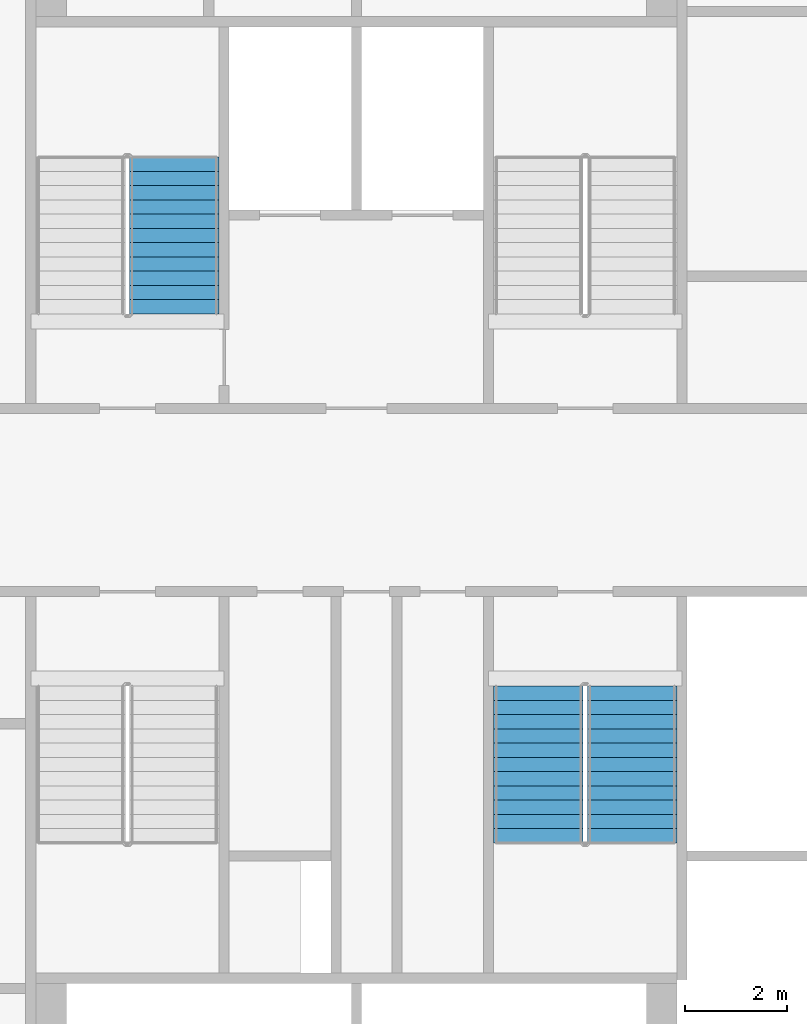
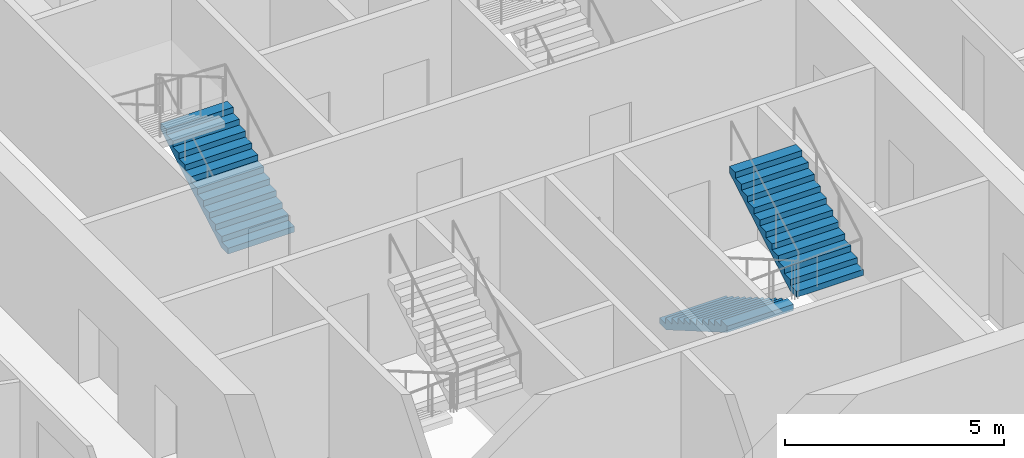
# One storey, part 9 of 15: 3 stair flights, 2 elements without a shape of their own.
"""IFC4 building model written with IfcOpenShell, lengths in metres."""

from ifc_helpers import new_model, si_unit, direction, frame, origin, place, context, subcontext, project, spatial, faceted_brep, material, type_object, element, aggregate, save


model = new_model("IFC4")

# Units and contexts
model_context = context("Model", 3, precision=1e-05, world=origin(), true_north=direction((0.0, 1.0)))
body_context = subcontext(model_context, "Body", "Model", "MODEL_VIEW")
ifc_project = project(units=[si_unit("LENGTHUNIT", "METRE"), si_unit("AREAUNIT", "SQUARE_METRE"), si_unit("VOLUMEUNIT", "CUBIC_METRE"), si_unit("PLANEANGLEUNIT", "RADIAN"), si_unit("MASSUNIT", "GRAM", prefix="KILO")], contexts=[model_context])

# Site, building, storey
site_placement = place(None, origin())
site = spatial("IfcSite", under=ifc_project, at=site_placement, CompositionType="ELEMENT")
building_placement = place(site_placement, origin())
building = spatial("IfcBuilding", under=site, at=building_placement, Name="Tarsis Ring Headquarters", CompositionType="ELEMENT")
storey_placement = place(building_placement, frame((0.0, 0.0, 219.89990234375)))
storey = spatial("IfcBuildingStorey", under=building, at=storey_placement, Name="L51", CompositionType="ELEMENT", Elevation=219.89990234375)

# Stair, stair flight
ifc_material_1 = material(Name="Core stair 1760")
stair_type = type_object("IfcStairType", Name="Core stair 1760", PredefinedType="HALF_TURN_STAIR", material=ifc_material_1)
stair_1_placement = place(storey_placement, origin())
stair_1 = element("IfcStair", 1, at=stair_1_placement, inside=storey, type_object=stair_type, Name="L51 Firefighting stair", PredefinedType="HALF_TURN_STAIR")
ifc_material_2 = material(Name="Concrete C40/50", Category="concrete")
stair_flight_type = type_object("IfcStairFlightType", Name="Core stair flight 1760", PredefinedType="STRAIGHT", material=ifc_material_2)
stair_flight_1_placement = place(storey_placement, frame((-3.580078125, 3.659912109375, 0.0), z_axis=(0.0, 0.0, 1.0), x_axis=(0.0, 1.0, 0.0)))
stair_flight_1 = element("IfcStairFlight", 2, at=stair_flight_1_placement, type_object=stair_flight_type, Name="Stair ST1 flight 1", NumberOfRisers=12, NumberOfTreads=11, PredefinedType="STRAIGHT", RiserHeight=0.1625, TreadLength=0.28, context=body_context, shape_type="Brep", body=[
    faceted_brep([(0.0, 0.8798828125, 0.0), (0.0, 0.8798828125, 0.16259765625), (0.280029296875, 0.8798828125, 0.16259765625), (0.280029296875, 0.8798828125, 0.324951171875), (0.56005859375, 0.8798828125, 0.324951171875), (0.56005859375, 0.8798828125, 0.487548828125), (0.840087890625, 0.8798828125, 0.487548828125), (0.840087890625, 0.8798828125, 0.64990234375), (1.1201171875, 0.8798828125, 0.64990234375), (1.1201171875, 0.8798828125, 0.8125), (1.39990234375, 0.8798828125, 0.8125), (1.39990234375, 0.8798828125, 0.97509765625), (1.679931640625, 0.8798828125, 0.97509765625), (1.679931640625, 0.8798828125, 1.137451171875), (1.9599609375, 0.8798828125, 1.137451171875), (1.9599609375, 0.8798828125, 1.300048828125), (2.239990234375, 0.8798828125, 1.300048828125), (2.239990234375, 0.8798828125, 1.46240234375), (2.52001953125, 0.8798828125, 1.46240234375), (2.52001953125, 0.8798828125, 1.625), (2.800048828125, 0.8798828125, 1.625), (2.800048828125, 0.8798828125, 1.78759765625), (3.080078125, 0.8798828125, 1.78759765625), (3.080078125, 0.8798828125, 1.6142578125), (0.298583984375, 0.8798828125, 0.0), (0.298583984375, -0.8798828125, 0.0), (3.080078125, -0.8798828125, 1.6142578125), (3.080078125, -0.8798828125, 1.78759765625), (2.800048828125, -0.8798828125, 1.78759765625), (2.800048828125, -0.8798828125, 1.625), (2.52001953125, -0.8798828125, 1.625), (2.52001953125, -0.8798828125, 1.46240234375), (2.239990234375, -0.8798828125, 1.46240234375), (2.239990234375, -0.8798828125, 1.300048828125), (1.9599609375, -0.8798828125, 1.300048828125), (1.9599609375, -0.8798828125, 1.137451171875), (1.679931640625, -0.8798828125, 1.137451171875), (1.679931640625, -0.8798828125, 0.97509765625), (1.39990234375, -0.8798828125, 0.97509765625), (1.39990234375, -0.8798828125, 0.8125), (1.1201171875, -0.8798828125, 0.8125), (1.1201171875, -0.8798828125, 0.64990234375), (0.840087890625, -0.8798828125, 0.64990234375), (0.840087890625, -0.8798828125, 0.487548828125), (0.56005859375, -0.8798828125, 0.487548828125), (0.56005859375, -0.8798828125, 0.324951171875), (0.280029296875, -0.8798828125, 0.324951171875), (0.280029296875, -0.8798828125, 0.16259765625), (0.0, -0.8798828125, 0.16259765625), (0.0, -0.8798828125, 0.0), (0.0, -0.43994140625, 0.16259765625), (0.0, -0.43994140625, 0.0), (0.0, 0.0, 0.16259765625), (0.0, 0.0, 0.0), (0.0, 0.43994140625, 0.16259765625), (0.0, 0.43994140625, 0.0), (0.280029296875, -0.43994140625, 0.16259765625), (0.280029296875, 0.0, 0.16259765625), (0.280029296875, 0.43994140625, 0.16259765625), (0.280029296875, -0.43994140625, 0.324951171875), (0.280029296875, 0.0, 0.324951171875), (0.280029296875, 0.43994140625, 0.324951171875), (0.56005859375, -0.43994140625, 0.324951171875), (0.56005859375, 0.0, 0.324951171875), (0.56005859375, 0.43994140625, 0.324951171875), (0.56005859375, -0.43994140625, 0.487548828125), (0.56005859375, 0.0, 0.487548828125), (0.56005859375, 0.43994140625, 0.487548828125), (0.840087890625, -0.43994140625, 0.487548828125), (0.840087890625, 0.0, 0.487548828125), (0.840087890625, 0.43994140625, 0.487548828125), (0.840087890625, -0.43994140625, 0.64990234375), (0.840087890625, 0.0, 0.64990234375), (0.840087890625, 0.43994140625, 0.64990234375), (1.1201171875, -0.43994140625, 0.64990234375), (1.1201171875, 0.0, 0.64990234375), (1.1201171875, 0.43994140625, 0.64990234375), (1.1201171875, -0.43994140625, 0.8125), (1.1201171875, 0.0, 0.8125), (1.1201171875, 0.43994140625, 0.8125), (1.39990234375, -0.43994140625, 0.8125), (1.39990234375, 0.0, 0.8125), (1.39990234375, 0.43994140625, 0.8125), (1.39990234375, -0.43994140625, 0.97509765625), (1.39990234375, 0.0, 0.97509765625), (1.39990234375, 0.43994140625, 0.97509765625), (1.679931640625, -0.43994140625, 0.97509765625), (1.679931640625, 0.0, 0.97509765625), (1.679931640625, 0.43994140625, 0.97509765625), (1.679931640625, -0.43994140625, 1.137451171875), (1.679931640625, 0.0, 1.137451171875), (1.679931640625, 0.43994140625, 1.137451171875), (1.9599609375, -0.43994140625, 1.137451171875), (1.9599609375, 0.0, 1.137451171875), (1.9599609375, 0.43994140625, 1.137451171875), (1.9599609375, -0.43994140625, 1.300048828125), (1.9599609375, 0.0, 1.300048828125), (1.9599609375, 0.43994140625, 1.300048828125), (2.239990234375, -0.43994140625, 1.300048828125), (2.239990234375, 0.0, 1.300048828125), (2.239990234375, 0.43994140625, 1.300048828125), (2.239990234375, -0.43994140625, 1.46240234375), (2.239990234375, 0.0, 1.46240234375), (2.239990234375, 0.43994140625, 1.46240234375), (2.52001953125, -0.43994140625, 1.46240234375), (2.52001953125, 0.0, 1.46240234375), (2.52001953125, 0.43994140625, 1.46240234375), (2.52001953125, -0.43994140625, 1.625), (2.52001953125, 0.0, 1.625), (2.52001953125, 0.43994140625, 1.625), (2.800048828125, -0.43994140625, 1.625), (2.800048828125, 0.0, 1.625), (2.800048828125, 0.43994140625, 1.625), (2.800048828125, -0.43994140625, 1.78759765625), (2.800048828125, 0.0, 1.78759765625), (2.800048828125, 0.43994140625, 1.78759765625), (3.080078125, -0.43994140625, 1.78759765625), (3.080078125, 0.0, 1.78759765625), (3.080078125, 0.43994140625, 1.78759765625), (3.080078125, -0.43994140625, 1.6142578125), (3.080078125, 0.0, 1.6142578125), (3.080078125, 0.43994140625, 1.6142578125), (0.298583984375, -0.43994140625, 0.0), (0.298583984375, 0.0, 0.0), (0.298583984375, 0.43994140625, 0.0)], [[[0, 1, 2, 3, 4, 5, 6, 7, 8, 9, 10, 11, 12, 13, 14, 15, 16, 17, 18, 19, 20, 21, 22, 23, 24]], [[25, 26, 27, 28, 29, 30, 31, 32, 33, 34, 35, 36, 37, 38, 39, 40, 41, 42, 43, 44, 45, 46, 47, 48, 49]], [[49, 48, 50, 51]], [[51, 50, 52, 53]], [[53, 52, 54, 55]], [[55, 54, 1, 0]], [[48, 47, 56, 50]], [[50, 56, 57, 52]], [[52, 57, 58, 54]], [[54, 58, 2, 1]], [[47, 46, 59, 56]], [[56, 59, 60, 57]], [[57, 60, 61, 58]], [[58, 61, 3, 2]], [[46, 45, 62, 59]], [[59, 62, 63, 60]], [[60, 63, 64, 61]], [[61, 64, 4, 3]], [[45, 44, 65, 62]], [[62, 65, 66, 63]], [[63, 66, 67, 64]], [[64, 67, 5, 4]], [[44, 43, 68, 65]], [[65, 68, 69, 66]], [[66, 69, 70, 67]], [[67, 70, 6, 5]], [[43, 42, 71, 68]], [[68, 71, 72, 69]], [[69, 72, 73, 70]], [[70, 73, 7, 6]], [[42, 41, 74, 71]], [[71, 74, 75, 72]], [[72, 75, 76, 73]], [[73, 76, 8, 7]], [[41, 40, 77, 74]], [[74, 77, 78, 75]], [[75, 78, 79, 76]], [[76, 79, 9, 8]], [[40, 39, 80, 77]], [[77, 80, 81, 78]], [[78, 81, 82, 79]], [[79, 82, 10, 9]], [[39, 38, 83, 80]], [[80, 83, 84, 81]], [[81, 84, 85, 82]], [[82, 85, 11, 10]], [[38, 37, 86, 83]], [[83, 86, 87, 84]], [[84, 87, 88, 85]], [[85, 88, 12, 11]], [[37, 36, 89, 86]], [[86, 89, 90, 87]], [[87, 90, 91, 88]], [[88, 91, 13, 12]], [[36, 35, 92, 89]], [[89, 92, 93, 90]], [[90, 93, 94, 91]], [[91, 94, 14, 13]], [[35, 34, 95, 92]], [[92, 95, 96, 93]], [[93, 96, 97, 94]], [[94, 97, 15, 14]], [[34, 33, 98, 95]], [[95, 98, 99, 96]], [[96, 99, 100, 97]], [[97, 100, 16, 15]], [[33, 32, 101, 98]], [[98, 101, 102, 99]], [[99, 102, 103, 100]], [[100, 103, 17, 16]], [[32, 31, 104, 101]], [[101, 104, 105, 102]], [[102, 105, 106, 103]], [[103, 106, 18, 17]], [[31, 30, 107, 104]], [[104, 107, 108, 105]], [[105, 108, 109, 106]], [[106, 109, 19, 18]], [[30, 29, 110, 107]], [[107, 110, 111, 108]], [[108, 111, 112, 109]], [[109, 112, 20, 19]], [[29, 28, 113, 110]], [[110, 113, 114, 111]], [[111, 114, 115, 112]], [[112, 115, 21, 20]], [[28, 27, 116, 113]], [[113, 116, 117, 114]], [[114, 117, 118, 115]], [[115, 118, 22, 21]], [[27, 26, 119, 116]], [[116, 119, 120, 117]], [[117, 120, 121, 118]], [[118, 121, 23, 22]], [[26, 25, 122, 119]], [[119, 122, 123, 120]], [[120, 123, 124, 121]], [[121, 124, 24, 23]], [[25, 49, 51, 122]], [[122, 51, 53, 123]], [[123, 53, 55, 124]], [[124, 55, 0, 24]]]),
])
aggregate(stair_1, [stair_flight_1])

# Stair, stair flights
stair_2_placement = place(storey_placement, origin())
stair_2 = element("IfcStair", 3, at=stair_2_placement, inside=storey, type_object=stair_type, Name="L51 Exit stair D", PredefinedType="HALF_TURN_STAIR")
stair_flight_2_placement = place(storey_placement, frame((3.580078125, -3.659912109375, 0.0), z_axis=(0.0, 0.0, 1.0), x_axis=(0.0, -1.0, 0.0)))
stair_flight_2 = element("IfcStairFlight", 4, at=stair_flight_2_placement, type_object=stair_flight_type, Name="Stair ST4 flight 1", NumberOfRisers=12, NumberOfTreads=11, PredefinedType="STRAIGHT", RiserHeight=0.1625, TreadLength=0.28, context=body_context, shape_type="Brep", body=[
    faceted_brep([(0.0, 0.8798828125, 0.0), (0.0, 0.8798828125, 0.16259765625), (0.280029296875, 0.8798828125, 0.16259765625), (0.280029296875, 0.8798828125, 0.324951171875), (0.56005859375, 0.8798828125, 0.324951171875), (0.56005859375, 0.8798828125, 0.487548828125), (0.840087890625, 0.8798828125, 0.487548828125), (0.840087890625, 0.8798828125, 0.64990234375), (1.1201171875, 0.8798828125, 0.64990234375), (1.1201171875, 0.8798828125, 0.8125), (1.39990234375, 0.8798828125, 0.8125), (1.39990234375, 0.8798828125, 0.97509765625), (1.679931640625, 0.8798828125, 0.97509765625), (1.679931640625, 0.8798828125, 1.137451171875), (1.9599609375, 0.8798828125, 1.137451171875), (1.9599609375, 0.8798828125, 1.300048828125), (2.239990234375, 0.8798828125, 1.300048828125), (2.239990234375, 0.8798828125, 1.46240234375), (2.52001953125, 0.8798828125, 1.46240234375), (2.52001953125, 0.8798828125, 1.625), (2.800048828125, 0.8798828125, 1.625), (2.800048828125, 0.8798828125, 1.78759765625), (3.080078125, 0.8798828125, 1.78759765625), (3.080078125, 0.8798828125, 1.6142578125), (0.298583984375, 0.8798828125, 0.0), (0.298583984375, -0.8798828125, 0.0), (3.080078125, -0.8798828125, 1.6142578125), (3.080078125, -0.8798828125, 1.78759765625), (2.800048828125, -0.8798828125, 1.78759765625), (2.800048828125, -0.8798828125, 1.625), (2.52001953125, -0.8798828125, 1.625), (2.52001953125, -0.8798828125, 1.46240234375), (2.239990234375, -0.8798828125, 1.46240234375), (2.239990234375, -0.8798828125, 1.300048828125), (1.9599609375, -0.8798828125, 1.300048828125), (1.9599609375, -0.8798828125, 1.137451171875), (1.679931640625, -0.8798828125, 1.137451171875), (1.679931640625, -0.8798828125, 0.97509765625), (1.39990234375, -0.8798828125, 0.97509765625), (1.39990234375, -0.8798828125, 0.8125), (1.1201171875, -0.8798828125, 0.8125), (1.1201171875, -0.8798828125, 0.64990234375), (0.840087890625, -0.8798828125, 0.64990234375), (0.840087890625, -0.8798828125, 0.487548828125), (0.56005859375, -0.8798828125, 0.487548828125), (0.56005859375, -0.8798828125, 0.324951171875), (0.280029296875, -0.8798828125, 0.324951171875), (0.280029296875, -0.8798828125, 0.16259765625), (0.0, -0.8798828125, 0.16259765625), (0.0, -0.8798828125, 0.0), (0.0, -0.43994140625, 0.16259765625), (0.0, -0.43994140625, 0.0), (0.0, 0.0, 0.16259765625), (0.0, 0.0, 0.0), (0.0, 0.43994140625, 0.16259765625), (0.0, 0.43994140625, 0.0), (0.280029296875, -0.43994140625, 0.16259765625), (0.280029296875, 0.0, 0.16259765625), (0.280029296875, 0.43994140625, 0.16259765625), (0.280029296875, -0.43994140625, 0.324951171875), (0.280029296875, 0.0, 0.324951171875), (0.280029296875, 0.43994140625, 0.324951171875), (0.56005859375, -0.43994140625, 0.324951171875), (0.56005859375, 0.0, 0.324951171875), (0.56005859375, 0.43994140625, 0.324951171875), (0.56005859375, -0.43994140625, 0.487548828125), (0.56005859375, 0.0, 0.487548828125), (0.56005859375, 0.43994140625, 0.487548828125), (0.840087890625, -0.43994140625, 0.487548828125), (0.840087890625, 0.0, 0.487548828125), (0.840087890625, 0.43994140625, 0.487548828125), (0.840087890625, -0.43994140625, 0.64990234375), (0.840087890625, 0.0, 0.64990234375), (0.840087890625, 0.43994140625, 0.64990234375), (1.1201171875, -0.43994140625, 0.64990234375), (1.1201171875, 0.0, 0.64990234375), (1.1201171875, 0.43994140625, 0.64990234375), (1.1201171875, -0.43994140625, 0.8125), (1.1201171875, 0.0, 0.8125), (1.1201171875, 0.43994140625, 0.8125), (1.39990234375, -0.43994140625, 0.8125), (1.39990234375, 0.0, 0.8125), (1.39990234375, 0.43994140625, 0.8125), (1.39990234375, -0.43994140625, 0.97509765625), (1.39990234375, 0.0, 0.97509765625), (1.39990234375, 0.43994140625, 0.97509765625), (1.679931640625, -0.43994140625, 0.97509765625), (1.679931640625, 0.0, 0.97509765625), (1.679931640625, 0.43994140625, 0.97509765625), (1.679931640625, -0.43994140625, 1.137451171875), (1.679931640625, 0.0, 1.137451171875), (1.679931640625, 0.43994140625, 1.137451171875), (1.9599609375, -0.43994140625, 1.137451171875), (1.9599609375, 0.0, 1.137451171875), (1.9599609375, 0.43994140625, 1.137451171875), (1.9599609375, -0.43994140625, 1.300048828125), (1.9599609375, 0.0, 1.300048828125), (1.9599609375, 0.43994140625, 1.300048828125), (2.239990234375, -0.43994140625, 1.300048828125), (2.239990234375, 0.0, 1.300048828125), (2.239990234375, 0.43994140625, 1.300048828125), (2.239990234375, -0.43994140625, 1.46240234375), (2.239990234375, 0.0, 1.46240234375), (2.239990234375, 0.43994140625, 1.46240234375), (2.52001953125, -0.43994140625, 1.46240234375), (2.52001953125, 0.0, 1.46240234375), (2.52001953125, 0.43994140625, 1.46240234375), (2.52001953125, -0.43994140625, 1.625), (2.52001953125, 0.0, 1.625), (2.52001953125, 0.43994140625, 1.625), (2.800048828125, -0.43994140625, 1.625), (2.800048828125, 0.0, 1.625), (2.800048828125, 0.43994140625, 1.625), (2.800048828125, -0.43994140625, 1.78759765625), (2.800048828125, 0.0, 1.78759765625), (2.800048828125, 0.43994140625, 1.78759765625), (3.080078125, -0.43994140625, 1.78759765625), (3.080078125, 0.0, 1.78759765625), (3.080078125, 0.43994140625, 1.78759765625), (3.080078125, -0.43994140625, 1.6142578125), (3.080078125, 0.0, 1.6142578125), (3.080078125, 0.43994140625, 1.6142578125), (0.298583984375, -0.43994140625, 0.0), (0.298583984375, 0.0, 0.0), (0.298583984375, 0.43994140625, 0.0)], [[[0, 1, 2, 3, 4, 5, 6, 7, 8, 9, 10, 11, 12, 13, 14, 15, 16, 17, 18, 19, 20, 21, 22, 23, 24]], [[25, 26, 27, 28, 29, 30, 31, 32, 33, 34, 35, 36, 37, 38, 39, 40, 41, 42, 43, 44, 45, 46, 47, 48, 49]], [[49, 48, 50, 51]], [[51, 50, 52, 53]], [[53, 52, 54, 55]], [[55, 54, 1, 0]], [[48, 47, 56, 50]], [[50, 56, 57, 52]], [[52, 57, 58, 54]], [[54, 58, 2, 1]], [[47, 46, 59, 56]], [[56, 59, 60, 57]], [[57, 60, 61, 58]], [[58, 61, 3, 2]], [[46, 45, 62, 59]], [[59, 62, 63, 60]], [[60, 63, 64, 61]], [[61, 64, 4, 3]], [[45, 44, 65, 62]], [[62, 65, 66, 63]], [[63, 66, 67, 64]], [[64, 67, 5, 4]], [[44, 43, 68, 65]], [[65, 68, 69, 66]], [[66, 69, 70, 67]], [[67, 70, 6, 5]], [[43, 42, 71, 68]], [[68, 71, 72, 69]], [[69, 72, 73, 70]], [[70, 73, 7, 6]], [[42, 41, 74, 71]], [[71, 74, 75, 72]], [[72, 75, 76, 73]], [[73, 76, 8, 7]], [[41, 40, 77, 74]], [[74, 77, 78, 75]], [[75, 78, 79, 76]], [[76, 79, 9, 8]], [[40, 39, 80, 77]], [[77, 80, 81, 78]], [[78, 81, 82, 79]], [[79, 82, 10, 9]], [[39, 38, 83, 80]], [[80, 83, 84, 81]], [[81, 84, 85, 82]], [[82, 85, 11, 10]], [[38, 37, 86, 83]], [[83, 86, 87, 84]], [[84, 87, 88, 85]], [[85, 88, 12, 11]], [[37, 36, 89, 86]], [[86, 89, 90, 87]], [[87, 90, 91, 88]], [[88, 91, 13, 12]], [[36, 35, 92, 89]], [[89, 92, 93, 90]], [[90, 93, 94, 91]], [[91, 94, 14, 13]], [[35, 34, 95, 92]], [[92, 95, 96, 93]], [[93, 96, 97, 94]], [[94, 97, 15, 14]], [[34, 33, 98, 95]], [[95, 98, 99, 96]], [[96, 99, 100, 97]], [[97, 100, 16, 15]], [[33, 32, 101, 98]], [[98, 101, 102, 99]], [[99, 102, 103, 100]], [[100, 103, 17, 16]], [[32, 31, 104, 101]], [[101, 104, 105, 102]], [[102, 105, 106, 103]], [[103, 106, 18, 17]], [[31, 30, 107, 104]], [[104, 107, 108, 105]], [[105, 108, 109, 106]], [[106, 109, 19, 18]], [[30, 29, 110, 107]], [[107, 110, 111, 108]], [[108, 111, 112, 109]], [[109, 112, 20, 19]], [[29, 28, 113, 110]], [[110, 113, 114, 111]], [[111, 114, 115, 112]], [[112, 115, 21, 20]], [[28, 27, 116, 113]], [[113, 116, 117, 114]], [[114, 117, 118, 115]], [[115, 118, 22, 21]], [[27, 26, 119, 116]], [[116, 119, 120, 117]], [[117, 120, 121, 118]], [[118, 121, 23, 22]], [[26, 25, 122, 119]], [[119, 122, 123, 120]], [[120, 123, 124, 121]], [[121, 124, 24, 23]], [[25, 49, 51, 122]], [[122, 51, 53, 123]], [[123, 53, 55, 124]], [[124, 55, 0, 24]]]),
])
stair_flight_3_placement = place(storey_placement, frame((5.419921875, -6.739990234375, 1.9501953125), z_axis=(0.0, 0.0, 1.0), x_axis=(0.0, 1.0, 0.0)))
stair_flight_3 = element("IfcStairFlight", 5, at=stair_flight_3_placement, type_object=stair_flight_type, Name="Stair ST4 flight 2", NumberOfRisers=12, NumberOfTreads=11, PredefinedType="STRAIGHT", RiserHeight=0.1625, TreadLength=0.28, context=body_context, shape_type="Brep", body=[
    faceted_brep([(0.0, 0.8798828125, 0.0), (0.0, 0.8798828125, 0.16259765625), (0.280029296875, 0.8798828125, 0.16259765625), (0.280029296875, 0.8798828125, 0.324951171875), (0.56005859375, 0.8798828125, 0.324951171875), (0.56005859375, 0.8798828125, 0.487548828125), (0.840087890625, 0.8798828125, 0.487548828125), (0.840087890625, 0.8798828125, 0.64990234375), (1.1201171875, 0.8798828125, 0.64990234375), (1.1201171875, 0.8798828125, 0.8125), (1.39990234375, 0.8798828125, 0.8125), (1.39990234375, 0.8798828125, 0.97509765625), (1.679931640625, 0.8798828125, 0.97509765625), (1.679931640625, 0.8798828125, 1.137451171875), (1.9599609375, 0.8798828125, 1.137451171875), (1.9599609375, 0.8798828125, 1.300048828125), (2.239990234375, 0.8798828125, 1.300048828125), (2.239990234375, 0.8798828125, 1.46240234375), (2.52001953125, 0.8798828125, 1.46240234375), (2.52001953125, 0.8798828125, 1.625), (2.800048828125, 0.8798828125, 1.625), (2.800048828125, 0.8798828125, 1.78759765625), (3.080078125, 0.8798828125, 1.78759765625), (3.080078125, 0.8798828125, 1.6142578125), (0.298583984375, 0.8798828125, 0.0), (0.298583984375, -0.8798828125, 0.0), (3.080078125, -0.8798828125, 1.6142578125), (3.080078125, -0.8798828125, 1.78759765625), (2.800048828125, -0.8798828125, 1.78759765625), (2.800048828125, -0.8798828125, 1.625), (2.52001953125, -0.8798828125, 1.625), (2.52001953125, -0.8798828125, 1.46240234375), (2.239990234375, -0.8798828125, 1.46240234375), (2.239990234375, -0.8798828125, 1.300048828125), (1.9599609375, -0.8798828125, 1.300048828125), (1.9599609375, -0.8798828125, 1.137451171875), (1.679931640625, -0.8798828125, 1.137451171875), (1.679931640625, -0.8798828125, 0.97509765625), (1.39990234375, -0.8798828125, 0.97509765625), (1.39990234375, -0.8798828125, 0.8125), (1.1201171875, -0.8798828125, 0.8125), (1.1201171875, -0.8798828125, 0.64990234375), (0.840087890625, -0.8798828125, 0.64990234375), (0.840087890625, -0.8798828125, 0.487548828125), (0.56005859375, -0.8798828125, 0.487548828125), (0.56005859375, -0.8798828125, 0.324951171875), (0.280029296875, -0.8798828125, 0.324951171875), (0.280029296875, -0.8798828125, 0.16259765625), (0.0, -0.8798828125, 0.16259765625), (0.0, -0.8798828125, 0.0), (0.0, -0.43994140625, 0.16259765625), (0.0, -0.43994140625, 0.0), (0.0, 0.0, 0.16259765625), (0.0, 0.0, 0.0), (0.0, 0.43994140625, 0.16259765625), (0.0, 0.43994140625, 0.0), (0.280029296875, -0.43994140625, 0.16259765625), (0.280029296875, 0.0, 0.16259765625), (0.280029296875, 0.43994140625, 0.16259765625), (0.280029296875, -0.43994140625, 0.324951171875), (0.280029296875, 0.0, 0.324951171875), (0.280029296875, 0.43994140625, 0.324951171875), (0.56005859375, -0.43994140625, 0.324951171875), (0.56005859375, 0.0, 0.324951171875), (0.56005859375, 0.43994140625, 0.324951171875), (0.56005859375, -0.43994140625, 0.487548828125), (0.56005859375, 0.0, 0.487548828125), (0.56005859375, 0.43994140625, 0.487548828125), (0.840087890625, -0.43994140625, 0.487548828125), (0.840087890625, 0.0, 0.487548828125), (0.840087890625, 0.43994140625, 0.487548828125), (0.840087890625, -0.43994140625, 0.64990234375), (0.840087890625, 0.0, 0.64990234375), (0.840087890625, 0.43994140625, 0.64990234375), (1.1201171875, -0.43994140625, 0.64990234375), (1.1201171875, 0.0, 0.64990234375), (1.1201171875, 0.43994140625, 0.64990234375), (1.1201171875, -0.43994140625, 0.8125), (1.1201171875, 0.0, 0.8125), (1.1201171875, 0.43994140625, 0.8125), (1.39990234375, -0.43994140625, 0.8125), (1.39990234375, 0.0, 0.8125), (1.39990234375, 0.43994140625, 0.8125), (1.39990234375, -0.43994140625, 0.97509765625), (1.39990234375, 0.0, 0.97509765625), (1.39990234375, 0.43994140625, 0.97509765625), (1.679931640625, -0.43994140625, 0.97509765625), (1.679931640625, 0.0, 0.97509765625), (1.679931640625, 0.43994140625, 0.97509765625), (1.679931640625, -0.43994140625, 1.137451171875), (1.679931640625, 0.0, 1.137451171875), (1.679931640625, 0.43994140625, 1.137451171875), (1.9599609375, -0.43994140625, 1.137451171875), (1.9599609375, 0.0, 1.137451171875), (1.9599609375, 0.43994140625, 1.137451171875), (1.9599609375, -0.43994140625, 1.300048828125), (1.9599609375, 0.0, 1.300048828125), (1.9599609375, 0.43994140625, 1.300048828125), (2.239990234375, -0.43994140625, 1.300048828125), (2.239990234375, 0.0, 1.300048828125), (2.239990234375, 0.43994140625, 1.300048828125), (2.239990234375, -0.43994140625, 1.46240234375), (2.239990234375, 0.0, 1.46240234375), (2.239990234375, 0.43994140625, 1.46240234375), (2.52001953125, -0.43994140625, 1.46240234375), (2.52001953125, 0.0, 1.46240234375), (2.52001953125, 0.43994140625, 1.46240234375), (2.52001953125, -0.43994140625, 1.625), (2.52001953125, 0.0, 1.625), (2.52001953125, 0.43994140625, 1.625), (2.800048828125, -0.43994140625, 1.625), (2.800048828125, 0.0, 1.625), (2.800048828125, 0.43994140625, 1.625), (2.800048828125, -0.43994140625, 1.78759765625), (2.800048828125, 0.0, 1.78759765625), (2.800048828125, 0.43994140625, 1.78759765625), (3.080078125, -0.43994140625, 1.78759765625), (3.080078125, 0.0, 1.78759765625), (3.080078125, 0.43994140625, 1.78759765625), (3.080078125, -0.43994140625, 1.6142578125), (3.080078125, 0.0, 1.6142578125), (3.080078125, 0.43994140625, 1.6142578125), (0.298583984375, -0.43994140625, 0.0), (0.298583984375, 0.0, 0.0), (0.298583984375, 0.43994140625, 0.0)], [[[0, 1, 2, 3, 4, 5, 6, 7, 8, 9, 10, 11, 12, 13, 14, 15, 16, 17, 18, 19, 20, 21, 22, 23, 24]], [[25, 26, 27, 28, 29, 30, 31, 32, 33, 34, 35, 36, 37, 38, 39, 40, 41, 42, 43, 44, 45, 46, 47, 48, 49]], [[49, 48, 50, 51]], [[51, 50, 52, 53]], [[53, 52, 54, 55]], [[55, 54, 1, 0]], [[48, 47, 56, 50]], [[50, 56, 57, 52]], [[52, 57, 58, 54]], [[54, 58, 2, 1]], [[47, 46, 59, 56]], [[56, 59, 60, 57]], [[57, 60, 61, 58]], [[58, 61, 3, 2]], [[46, 45, 62, 59]], [[59, 62, 63, 60]], [[60, 63, 64, 61]], [[61, 64, 4, 3]], [[45, 44, 65, 62]], [[62, 65, 66, 63]], [[63, 66, 67, 64]], [[64, 67, 5, 4]], [[44, 43, 68, 65]], [[65, 68, 69, 66]], [[66, 69, 70, 67]], [[67, 70, 6, 5]], [[43, 42, 71, 68]], [[68, 71, 72, 69]], [[69, 72, 73, 70]], [[70, 73, 7, 6]], [[42, 41, 74, 71]], [[71, 74, 75, 72]], [[72, 75, 76, 73]], [[73, 76, 8, 7]], [[41, 40, 77, 74]], [[74, 77, 78, 75]], [[75, 78, 79, 76]], [[76, 79, 9, 8]], [[40, 39, 80, 77]], [[77, 80, 81, 78]], [[78, 81, 82, 79]], [[79, 82, 10, 9]], [[39, 38, 83, 80]], [[80, 83, 84, 81]], [[81, 84, 85, 82]], [[82, 85, 11, 10]], [[38, 37, 86, 83]], [[83, 86, 87, 84]], [[84, 87, 88, 85]], [[85, 88, 12, 11]], [[37, 36, 89, 86]], [[86, 89, 90, 87]], [[87, 90, 91, 88]], [[88, 91, 13, 12]], [[36, 35, 92, 89]], [[89, 92, 93, 90]], [[90, 93, 94, 91]], [[91, 94, 14, 13]], [[35, 34, 95, 92]], [[92, 95, 96, 93]], [[93, 96, 97, 94]], [[94, 97, 15, 14]], [[34, 33, 98, 95]], [[95, 98, 99, 96]], [[96, 99, 100, 97]], [[97, 100, 16, 15]], [[33, 32, 101, 98]], [[98, 101, 102, 99]], [[99, 102, 103, 100]], [[100, 103, 17, 16]], [[32, 31, 104, 101]], [[101, 104, 105, 102]], [[102, 105, 106, 103]], [[103, 106, 18, 17]], [[31, 30, 107, 104]], [[104, 107, 108, 105]], [[105, 108, 109, 106]], [[106, 109, 19, 18]], [[30, 29, 110, 107]], [[107, 110, 111, 108]], [[108, 111, 112, 109]], [[109, 112, 20, 19]], [[29, 28, 113, 110]], [[110, 113, 114, 111]], [[111, 114, 115, 112]], [[112, 115, 21, 20]], [[28, 27, 116, 113]], [[113, 116, 117, 114]], [[114, 117, 118, 115]], [[115, 118, 22, 21]], [[27, 26, 119, 116]], [[116, 119, 120, 117]], [[117, 120, 121, 118]], [[118, 121, 23, 22]], [[26, 25, 122, 119]], [[119, 122, 123, 120]], [[120, 123, 124, 121]], [[121, 124, 24, 23]], [[25, 49, 51, 122]], [[122, 51, 53, 123]], [[123, 53, 55, 124]], [[124, 55, 0, 24]]]),
])
aggregate(stair_2, [stair_flight_2, stair_flight_3])

save(model, "model.ifc")
